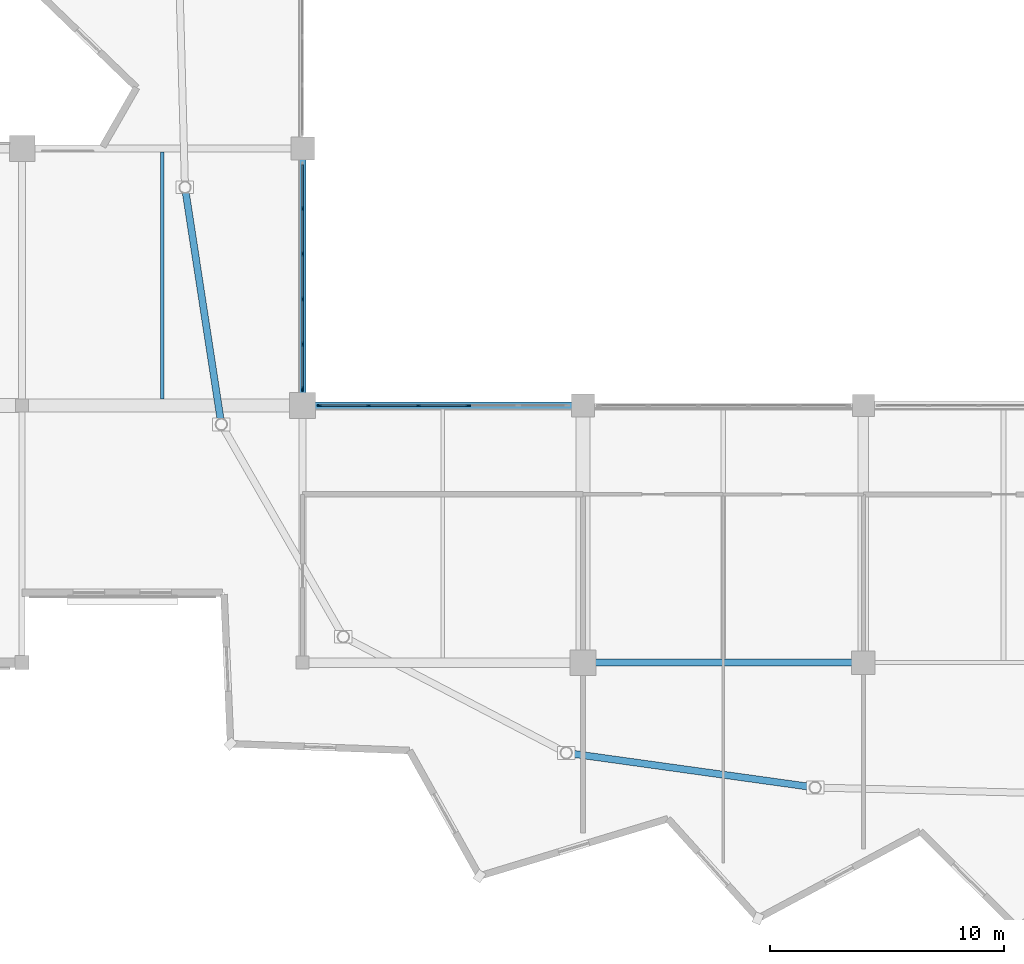
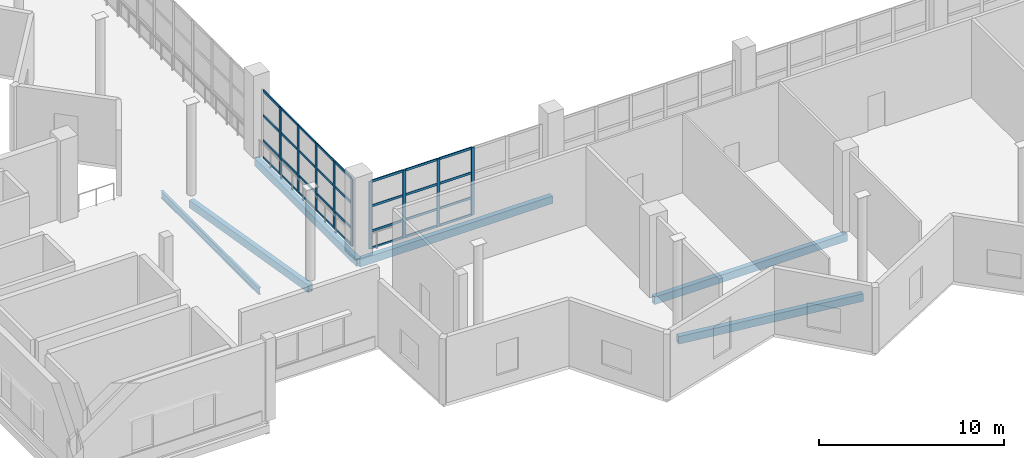
# One storey, part 11 of 49: 41 members, 6 beams, 2 elements without a shape of their own.
"""IFC4 building model written with IfcOpenShell, lengths in metres."""

from ifc_helpers import new_model, si_unit, direction, frame, origin, origin_2d, place, context, subcontext, project, spatial, rectangle, hollow_rectangle, i_section, extrude, material, material_profile, profile_set, type_object, element, aggregate, save


model = new_model("IFC4")

# Units and contexts
model_context = context("Model", 3, precision=1e-05, world=origin(), true_north=direction((0.0, 1.0)))
body_context = subcontext(model_context, "Body", "Model", "MODEL_VIEW")
ifc_project = project(units=[si_unit("LENGTHUNIT", "METRE"), si_unit("AREAUNIT", "SQUARE_METRE"), si_unit("VOLUMEUNIT", "CUBIC_METRE"), si_unit("PLANEANGLEUNIT", "RADIAN"), si_unit("MASSUNIT", "GRAM", prefix="KILO")], contexts=[model_context])

# Site, building, storey
site_placement = place(None, origin())
site = spatial("IfcSite", under=ifc_project, at=site_placement, CompositionType="ELEMENT")
building_placement = place(site_placement, origin())
building = spatial("IfcBuilding", under=site, at=building_placement, Name="Luwafu Chhajja Arena", CompositionType="ELEMENT")
storey_placement = place(building_placement, frame((0.0, 0.0, 24.300048828125)))
storey = spatial("IfcBuildingStorey", under=building, at=storey_placement, Name="L05", CompositionType="ELEMENT", Elevation=24.300048828125)

# Curtain wall, members
ifc_material_1 = material(Name="Anodised bronze aluminium", Category="aluminium")
curtain_wall_type = type_object("IfcCurtainWallType", Name="VIP Club Terrace Curtain Wall", PredefinedType="USERDEFINED", material=ifc_material_1)
curtain_wall_1_placement = place(storey_placement, origin())
curtain_wall_1 = element("IfcCurtainWall", 1, at=curtain_wall_1_placement, inside=storey, type_object=curtain_wall_type, Name="L05 Bowl Viewing Curtain Wall CWR-L05-01", ObjectType="CURTAIN WALL", PredefinedType="USERDEFINED")
ifc_material_profile_1 = material_profile(ifc_material_1, rectangle(XDim=0.06494140625, YDim=0.199951171875, at=origin_2d()), Name="CWM 65x200")
ifc_profile_set_1 = profile_set([ifc_material_profile_1], Name="Anodised bronze aluminium")
member_type_1 = type_object("IfcMemberType", Name="Bronze Curtain Wall Mullion 65x200", PredefinedType="MULLION", material=ifc_profile_set_1)
member_1_placement = place(storey_placement, frame((58.722412109375, 22.0, 0.0), z_axis=(0.0, 0.0, 1.0), x_axis=(0.0, 1.0, 0.0)))
member_1 = element("IfcMember", 2, at=member_1_placement, type_object=member_type_1, Name="CW-10 mullion 1", PredefinedType="MULLION", context=body_context, shape_type="SweptSolid", body=[
    extrude(rectangle(XDim=0.06494140625, YDim=0.199951171875, at=origin_2d()), origin(), (0.0, 0.0, 1.0), 4.449951171875),
])
member_2_placement = place(storey_placement, frame((60.823974609375, 22.0, 0.0), z_axis=(0.0, 0.0, 1.0), x_axis=(0.0, 1.0, 0.0)))
member_2 = element("IfcMember", 3, at=member_2_placement, type_object=member_type_1, Name="CW-10 mullion 2", PredefinedType="MULLION", context=body_context, shape_type="SweptSolid", body=[
    extrude(rectangle(XDim=0.06494140625, YDim=0.199951171875, at=origin_2d()), origin(), (0.0, 0.0, 1.0), 4.449951171875),
])
member_3_placement = place(storey_placement, frame((62.9580078125, 22.0, 0.0), z_axis=(0.0, 0.0, 1.0), x_axis=(0.0, 1.0, 0.0)))
member_3 = element("IfcMember", 4, at=member_3_placement, type_object=member_type_1, Name="CW-10 mullion 3", PredefinedType="MULLION", context=body_context, shape_type="SweptSolid", body=[
    extrude(rectangle(XDim=0.06494140625, YDim=0.199951171875, at=origin_2d()), origin(), (0.0, 0.0, 1.0), 4.449951171875),
])
member_4_placement = place(storey_placement, frame((65.092041015625, 22.0, 0.0), z_axis=(0.0, 0.0, 1.0), x_axis=(0.0, 1.0, 0.0)))
member_4 = element("IfcMember", 5, at=member_4_placement, type_object=member_type_1, Name="CW-10 mullion 4", PredefinedType="MULLION", context=body_context, shape_type="SweptSolid", body=[
    extrude(rectangle(XDim=0.06494140625, YDim=0.199951171875, at=origin_2d()), origin(), (0.0, 0.0, 1.0), 4.449951171875),
])

curtain_wall_2_placement = place(storey_placement, origin())
curtain_wall_2 = element("IfcCurtainWall", 6, at=curtain_wall_2_placement, inside=storey, type_object=curtain_wall_type, Name="L05 Bowl Viewing Curtain Wall CWR-L05-15", ObjectType="CURTAIN WALL", PredefinedType="USERDEFINED")
member_5_placement = place(storey_placement, frame((58.0, 22.722412109375, 0.0), z_axis=(0.0, 0.0, 1.0), x_axis=(-1.0, 0.0, 0.0)))
member_5 = element("IfcMember", 7, at=member_5_placement, type_object=member_type_1, Name="CW-10 mullion 1", PredefinedType="MULLION", context=body_context, shape_type="SweptSolid", body=[
    extrude(rectangle(XDim=0.06494140625, YDim=0.199951171875, at=origin_2d()), origin(), (0.0, 0.0, 1.0), 4.449951171875),
])
member_6_placement = place(storey_placement, frame((58.0, 24.6240234375, 0.0), z_axis=(0.0, 0.0, 1.0), x_axis=(-1.0, 0.0, 0.0)))
member_6 = element("IfcMember", 8, at=member_6_placement, type_object=member_type_1, Name="CW-10 mullion 2", PredefinedType="MULLION", context=body_context, shape_type="SweptSolid", body=[
    extrude(rectangle(XDim=0.06494140625, YDim=0.199951171875, at=origin_2d()), origin(), (0.0, 0.0, 1.0), 4.449951171875),
])
member_7_placement = place(storey_placement, frame((58.0, 26.55810546875, 0.0), z_axis=(0.0, 0.0, 1.0), x_axis=(-1.0, 0.0, 0.0)))
member_7 = element("IfcMember", 9, at=member_7_placement, type_object=member_type_1, Name="CW-10 mullion 3", PredefinedType="MULLION", context=body_context, shape_type="SweptSolid", body=[
    extrude(rectangle(XDim=0.06494140625, YDim=0.199951171875, at=origin_2d()), origin(), (0.0, 0.0, 1.0), 4.449951171875),
])
member_8_placement = place(storey_placement, frame((58.0, 28.491943359375, 0.0), z_axis=(0.0, 0.0, 1.0), x_axis=(-1.0, 0.0, 0.0)))
member_8 = element("IfcMember", 10, at=member_8_placement, type_object=member_type_1, Name="CW-10 mullion 4", PredefinedType="MULLION", context=body_context, shape_type="SweptSolid", body=[
    extrude(rectangle(XDim=0.06494140625, YDim=0.199951171875, at=origin_2d()), origin(), (0.0, 0.0, 1.0), 4.449951171875),
])
member_9_placement = place(storey_placement, frame((58.0, 30.426025390625, 0.0), z_axis=(0.0, 0.0, 1.0), x_axis=(-1.0, 0.0, 0.0)))
member_9 = element("IfcMember", 11, at=member_9_placement, type_object=member_type_1, Name="CW-10 mullion 5", PredefinedType="MULLION", context=body_context, shape_type="SweptSolid", body=[
    extrude(rectangle(XDim=0.06494140625, YDim=0.199951171875, at=origin_2d()), origin(), (0.0, 0.0, 1.0), 4.449951171875),
])

# Member
ifc_material_profile_2 = material_profile(ifc_material_1, rectangle(XDim=0.06494140625, YDim=0.14990234375, at=origin_2d()), Name="CWT 65x150")
ifc_profile_set_2 = profile_set([ifc_material_profile_2], Name="Anodised bronze aluminium")
member_type_2 = type_object("IfcMemberType", Name="Bronze Curtain Wall Transom 65x150", PredefinedType="USERDEFINED", material=ifc_profile_set_2)
member_10_placement = place(storey_placement, frame((58.7548828125, 22.0, 0.032470703125), z_axis=(1.0, 0.0, 0.0), x_axis=(0.0, 1.0, 0.0)))
member_10 = element("IfcMember", 12, at=member_10_placement, type_object=member_type_2, Name="CW-10 transom 1.1", ObjectType="TRANSOM", PredefinedType="USERDEFINED", context=body_context, shape_type="SweptSolid", body=[
    extrude(rectangle(XDim=0.06494140625, YDim=0.14990234375, at=origin_2d()), origin(), (0.0, 0.0, 1.0), 2.03662109375),
])

member_11_placement = place(storey_placement, frame((58.7548828125, 22.0, 1.14990234375), z_axis=(1.0, 0.0, 0.0), x_axis=(0.0, 1.0, 0.0)))
member_11 = element("IfcMember", 13, at=member_11_placement, type_object=member_type_2, Name="CW-10 transom 1.2", ObjectType="TRANSOM", PredefinedType="USERDEFINED", context=body_context, shape_type="SweptSolid", body=[
    extrude(rectangle(XDim=0.06494140625, YDim=0.14990234375, at=origin_2d()), origin(), (0.0, 0.0, 1.0), 2.03662109375),
])

member_12_placement = place(storey_placement, frame((58.7548828125, 22.0, 2.800048828125), z_axis=(1.0, 0.0, 0.0), x_axis=(0.0, 1.0, 0.0)))
member_12 = element("IfcMember", 14, at=member_12_placement, type_object=member_type_2, Name="CW-10 transom 1.3", ObjectType="TRANSOM", PredefinedType="USERDEFINED", context=body_context, shape_type="SweptSolid", body=[
    extrude(rectangle(XDim=0.06494140625, YDim=0.14990234375, at=origin_2d()), origin(), (0.0, 0.0, 1.0), 2.03662109375),
])

member_13_placement = place(storey_placement, frame((58.7548828125, 22.0, 4.41748046875), z_axis=(1.0, 0.0, 0.0), x_axis=(0.0, 1.0, 0.0)))
member_13 = element("IfcMember", 15, at=member_13_placement, type_object=member_type_2, Name="CW-10 transom 1.4", ObjectType="TRANSOM", PredefinedType="USERDEFINED", context=body_context, shape_type="SweptSolid", body=[
    extrude(rectangle(XDim=0.06494140625, YDim=0.14990234375, at=origin_2d()), origin(), (0.0, 0.0, 1.0), 2.03662109375),
])

member_14_placement = place(storey_placement, frame((60.8564453125, 22.0, 0.032470703125), z_axis=(1.0, 0.0, 0.0), x_axis=(0.0, 1.0, 0.0)))
member_14 = element("IfcMember", 16, at=member_14_placement, type_object=member_type_2, Name="CW-10 transom 2.1", ObjectType="TRANSOM", PredefinedType="USERDEFINED", context=body_context, shape_type="SweptSolid", body=[
    extrude(rectangle(XDim=0.06494140625, YDim=0.14990234375, at=origin_2d()), origin(), (0.0, 0.0, 1.0), 2.069091796875),
])

member_15_placement = place(storey_placement, frame((60.8564453125, 22.0, 1.14990234375), z_axis=(1.0, 0.0, 0.0), x_axis=(0.0, 1.0, 0.0)))
member_15 = element("IfcMember", 17, at=member_15_placement, type_object=member_type_2, Name="CW-10 transom 2.2", ObjectType="TRANSOM", PredefinedType="USERDEFINED", context=body_context, shape_type="SweptSolid", body=[
    extrude(rectangle(XDim=0.06494140625, YDim=0.14990234375, at=origin_2d()), origin(), (0.0, 0.0, 1.0), 2.069091796875),
])

member_16_placement = place(storey_placement, frame((60.8564453125, 22.0, 2.800048828125), z_axis=(1.0, 0.0, 0.0), x_axis=(0.0, 1.0, 0.0)))
member_16 = element("IfcMember", 18, at=member_16_placement, type_object=member_type_2, Name="CW-10 transom 2.3", ObjectType="TRANSOM", PredefinedType="USERDEFINED", context=body_context, shape_type="SweptSolid", body=[
    extrude(rectangle(XDim=0.06494140625, YDim=0.14990234375, at=origin_2d()), origin(), (0.0, 0.0, 1.0), 2.069091796875),
])

member_17_placement = place(storey_placement, frame((60.8564453125, 22.0, 4.41748046875), z_axis=(1.0, 0.0, 0.0), x_axis=(0.0, 1.0, 0.0)))
member_17 = element("IfcMember", 19, at=member_17_placement, type_object=member_type_2, Name="CW-10 transom 2.4", ObjectType="TRANSOM", PredefinedType="USERDEFINED", context=body_context, shape_type="SweptSolid", body=[
    extrude(rectangle(XDim=0.06494140625, YDim=0.14990234375, at=origin_2d()), origin(), (0.0, 0.0, 1.0), 2.069091796875),
])

member_18_placement = place(storey_placement, frame((62.990478515625, 22.0, 0.032470703125), z_axis=(1.0, 0.0, 0.0), x_axis=(0.0, 1.0, 0.0)))
member_18 = element("IfcMember", 20, at=member_18_placement, type_object=member_type_2, Name="CW-10 transom 3.1", ObjectType="TRANSOM", PredefinedType="USERDEFINED", context=body_context, shape_type="SweptSolid", body=[
    extrude(rectangle(XDim=0.06494140625, YDim=0.14990234375, at=origin_2d()), origin(), (0.0, 0.0, 1.0), 2.069091796875),
])

member_19_placement = place(storey_placement, frame((62.990478515625, 22.0, 1.14990234375), z_axis=(1.0, 0.0, 0.0), x_axis=(0.0, 1.0, 0.0)))
member_19 = element("IfcMember", 21, at=member_19_placement, type_object=member_type_2, Name="CW-10 transom 3.2", ObjectType="TRANSOM", PredefinedType="USERDEFINED", context=body_context, shape_type="SweptSolid", body=[
    extrude(rectangle(XDim=0.06494140625, YDim=0.14990234375, at=origin_2d()), origin(), (0.0, 0.0, 1.0), 2.069091796875),
])

member_20_placement = place(storey_placement, frame((62.990478515625, 22.0, 2.800048828125), z_axis=(1.0, 0.0, 0.0), x_axis=(0.0, 1.0, 0.0)))
member_20 = element("IfcMember", 22, at=member_20_placement, type_object=member_type_2, Name="CW-10 transom 3.3", ObjectType="TRANSOM", PredefinedType="USERDEFINED", context=body_context, shape_type="SweptSolid", body=[
    extrude(rectangle(XDim=0.06494140625, YDim=0.14990234375, at=origin_2d()), origin(), (0.0, 0.0, 1.0), 2.069091796875),
])

member_21_placement = place(storey_placement, frame((62.990478515625, 22.0, 4.41748046875), z_axis=(1.0, 0.0, 0.0), x_axis=(0.0, 1.0, 0.0)))
member_21 = element("IfcMember", 23, at=member_21_placement, type_object=member_type_2, Name="CW-10 transom 3.4", ObjectType="TRANSOM", PredefinedType="USERDEFINED", context=body_context, shape_type="SweptSolid", body=[
    extrude(rectangle(XDim=0.06494140625, YDim=0.14990234375, at=origin_2d()), origin(), (0.0, 0.0, 1.0), 2.069091796875),
])

aggregate(curtain_wall_1, [member_1, member_2, member_3, member_4, member_10, member_11, member_12, member_13, member_14, member_15, member_16, member_17, member_18, member_19, member_20, member_21])

member_22_placement = place(storey_placement, frame((58.0, 22.7548828125, 0.032470703125), z_axis=(0.0, 1.0, 0.0), x_axis=(-1.0, 0.0, 0.0)))
member_22 = element("IfcMember", 24, at=member_22_placement, type_object=member_type_2, Name="CW-10 transom 1.1", ObjectType="TRANSOM", PredefinedType="USERDEFINED", context=body_context, shape_type="SweptSolid", body=[
    extrude(rectangle(XDim=0.06494140625, YDim=0.14990234375, at=origin_2d()), origin(), (0.0, 0.0, 1.0), 1.836669921875),
])

member_23_placement = place(storey_placement, frame((58.0, 22.7548828125, 1.14990234375), z_axis=(0.0, 1.0, 0.0), x_axis=(-1.0, 0.0, 0.0)))
member_23 = element("IfcMember", 25, at=member_23_placement, type_object=member_type_2, Name="CW-10 transom 1.2", ObjectType="TRANSOM", PredefinedType="USERDEFINED", context=body_context, shape_type="SweptSolid", body=[
    extrude(rectangle(XDim=0.06494140625, YDim=0.14990234375, at=origin_2d()), origin(), (0.0, 0.0, 1.0), 1.836669921875),
])

member_24_placement = place(storey_placement, frame((58.0, 22.7548828125, 2.800048828125), z_axis=(0.0, 1.0, 0.0), x_axis=(-1.0, 0.0, 0.0)))
member_24 = element("IfcMember", 26, at=member_24_placement, type_object=member_type_2, Name="CW-10 transom 1.3", ObjectType="TRANSOM", PredefinedType="USERDEFINED", context=body_context, shape_type="SweptSolid", body=[
    extrude(rectangle(XDim=0.06494140625, YDim=0.14990234375, at=origin_2d()), origin(), (0.0, 0.0, 1.0), 1.836669921875),
])

member_25_placement = place(storey_placement, frame((58.0, 22.7548828125, 4.41748046875), z_axis=(0.0, 1.0, 0.0), x_axis=(-1.0, 0.0, 0.0)))
member_25 = element("IfcMember", 27, at=member_25_placement, type_object=member_type_2, Name="CW-10 transom 1.4", ObjectType="TRANSOM", PredefinedType="USERDEFINED", context=body_context, shape_type="SweptSolid", body=[
    extrude(rectangle(XDim=0.06494140625, YDim=0.14990234375, at=origin_2d()), origin(), (0.0, 0.0, 1.0), 1.836669921875),
])

member_26_placement = place(storey_placement, frame((58.0, 24.656494140625, 0.032470703125), z_axis=(0.0, 1.0, 0.0), x_axis=(-1.0, 0.0, 0.0)))
member_26 = element("IfcMember", 28, at=member_26_placement, type_object=member_type_2, Name="CW-10 transom 2.1", ObjectType="TRANSOM", PredefinedType="USERDEFINED", context=body_context, shape_type="SweptSolid", body=[
    extrude(rectangle(XDim=0.06494140625, YDim=0.14990234375, at=origin_2d()), origin(), (0.0, 0.0, 1.0), 1.868896484375),
])

member_27_placement = place(storey_placement, frame((58.0, 24.656494140625, 1.14990234375), z_axis=(0.0, 1.0, 0.0), x_axis=(-1.0, 0.0, 0.0)))
member_27 = element("IfcMember", 29, at=member_27_placement, type_object=member_type_2, Name="CW-10 transom 2.2", ObjectType="TRANSOM", PredefinedType="USERDEFINED", context=body_context, shape_type="SweptSolid", body=[
    extrude(rectangle(XDim=0.06494140625, YDim=0.14990234375, at=origin_2d()), origin(), (0.0, 0.0, 1.0), 1.868896484375),
])

member_28_placement = place(storey_placement, frame((58.0, 24.656494140625, 2.800048828125), z_axis=(0.0, 1.0, 0.0), x_axis=(-1.0, 0.0, 0.0)))
member_28 = element("IfcMember", 30, at=member_28_placement, type_object=member_type_2, Name="CW-10 transom 2.3", ObjectType="TRANSOM", PredefinedType="USERDEFINED", context=body_context, shape_type="SweptSolid", body=[
    extrude(rectangle(XDim=0.06494140625, YDim=0.14990234375, at=origin_2d()), origin(), (0.0, 0.0, 1.0), 1.868896484375),
])

member_29_placement = place(storey_placement, frame((58.0, 24.656494140625, 4.41748046875), z_axis=(0.0, 1.0, 0.0), x_axis=(-1.0, 0.0, 0.0)))
member_29 = element("IfcMember", 31, at=member_29_placement, type_object=member_type_2, Name="CW-10 transom 2.4", ObjectType="TRANSOM", PredefinedType="USERDEFINED", context=body_context, shape_type="SweptSolid", body=[
    extrude(rectangle(XDim=0.06494140625, YDim=0.14990234375, at=origin_2d()), origin(), (0.0, 0.0, 1.0), 1.868896484375),
])

member_30_placement = place(storey_placement, frame((58.0, 26.590576171875, 0.032470703125), z_axis=(0.0, 1.0, 0.0), x_axis=(-1.0, 0.0, 0.0)))
member_30 = element("IfcMember", 32, at=member_30_placement, type_object=member_type_2, Name="CW-10 transom 3.1", ObjectType="TRANSOM", PredefinedType="USERDEFINED", context=body_context, shape_type="SweptSolid", body=[
    extrude(rectangle(XDim=0.06494140625, YDim=0.14990234375, at=origin_2d()), origin(), (0.0, 0.0, 1.0), 1.868896484375),
])

member_31_placement = place(storey_placement, frame((58.0, 26.590576171875, 1.14990234375), z_axis=(0.0, 1.0, 0.0), x_axis=(-1.0, 0.0, 0.0)))
member_31 = element("IfcMember", 33, at=member_31_placement, type_object=member_type_2, Name="CW-10 transom 3.2", ObjectType="TRANSOM", PredefinedType="USERDEFINED", context=body_context, shape_type="SweptSolid", body=[
    extrude(rectangle(XDim=0.06494140625, YDim=0.14990234375, at=origin_2d()), origin(), (0.0, 0.0, 1.0), 1.868896484375),
])

member_32_placement = place(storey_placement, frame((58.0, 26.590576171875, 2.800048828125), z_axis=(0.0, 1.0, 0.0), x_axis=(-1.0, 0.0, 0.0)))
member_32 = element("IfcMember", 34, at=member_32_placement, type_object=member_type_2, Name="CW-10 transom 3.3", ObjectType="TRANSOM", PredefinedType="USERDEFINED", context=body_context, shape_type="SweptSolid", body=[
    extrude(rectangle(XDim=0.06494140625, YDim=0.14990234375, at=origin_2d()), origin(), (0.0, 0.0, 1.0), 1.868896484375),
])

member_33_placement = place(storey_placement, frame((58.0, 26.590576171875, 4.41748046875), z_axis=(0.0, 1.0, 0.0), x_axis=(-1.0, 0.0, 0.0)))
member_33 = element("IfcMember", 35, at=member_33_placement, type_object=member_type_2, Name="CW-10 transom 3.4", ObjectType="TRANSOM", PredefinedType="USERDEFINED", context=body_context, shape_type="SweptSolid", body=[
    extrude(rectangle(XDim=0.06494140625, YDim=0.14990234375, at=origin_2d()), origin(), (0.0, 0.0, 1.0), 1.868896484375),
])

member_34_placement = place(storey_placement, frame((58.0, 28.5244140625, 0.032470703125), z_axis=(0.0, 1.0, 0.0), x_axis=(-1.0, 0.0, 0.0)))
member_34 = element("IfcMember", 36, at=member_34_placement, type_object=member_type_2, Name="CW-10 transom 4.1", ObjectType="TRANSOM", PredefinedType="USERDEFINED", context=body_context, shape_type="SweptSolid", body=[
    extrude(rectangle(XDim=0.06494140625, YDim=0.14990234375, at=origin_2d()), origin(), (0.0, 0.0, 1.0), 1.869140625),
])

member_35_placement = place(storey_placement, frame((58.0, 28.5244140625, 1.14990234375), z_axis=(0.0, 1.0, 0.0), x_axis=(-1.0, 0.0, 0.0)))
member_35 = element("IfcMember", 37, at=member_35_placement, type_object=member_type_2, Name="CW-10 transom 4.2", ObjectType="TRANSOM", PredefinedType="USERDEFINED", context=body_context, shape_type="SweptSolid", body=[
    extrude(rectangle(XDim=0.06494140625, YDim=0.14990234375, at=origin_2d()), origin(), (0.0, 0.0, 1.0), 1.869140625),
])

member_36_placement = place(storey_placement, frame((58.0, 28.5244140625, 2.800048828125), z_axis=(0.0, 1.0, 0.0), x_axis=(-1.0, 0.0, 0.0)))
member_36 = element("IfcMember", 38, at=member_36_placement, type_object=member_type_2, Name="CW-10 transom 4.3", ObjectType="TRANSOM", PredefinedType="USERDEFINED", context=body_context, shape_type="SweptSolid", body=[
    extrude(rectangle(XDim=0.06494140625, YDim=0.14990234375, at=origin_2d()), origin(), (0.0, 0.0, 1.0), 1.869140625),
])

member_37_placement = place(storey_placement, frame((58.0, 28.5244140625, 4.41748046875), z_axis=(0.0, 1.0, 0.0), x_axis=(-1.0, 0.0, 0.0)))
member_37 = element("IfcMember", 39, at=member_37_placement, type_object=member_type_2, Name="CW-10 transom 4.4", ObjectType="TRANSOM", PredefinedType="USERDEFINED", context=body_context, shape_type="SweptSolid", body=[
    extrude(rectangle(XDim=0.06494140625, YDim=0.14990234375, at=origin_2d()), origin(), (0.0, 0.0, 1.0), 1.869140625),
])

member_38_placement = place(storey_placement, frame((58.0, 30.45849609375, 0.032470703125), z_axis=(0.0, 1.0, 0.0), x_axis=(-1.0, 0.0, 0.0)))
member_38 = element("IfcMember", 40, at=member_38_placement, type_object=member_type_2, Name="CW-10 transom 5.1", ObjectType="TRANSOM", PredefinedType="USERDEFINED", context=body_context, shape_type="SweptSolid", body=[
    extrude(rectangle(XDim=0.06494140625, YDim=0.14990234375, at=origin_2d()), origin(), (0.0, 0.0, 1.0), 1.83642578125),
])

member_39_placement = place(storey_placement, frame((58.0, 30.45849609375, 1.14990234375), z_axis=(0.0, 1.0, 0.0), x_axis=(-1.0, 0.0, 0.0)))
member_39 = element("IfcMember", 41, at=member_39_placement, type_object=member_type_2, Name="CW-10 transom 5.2", ObjectType="TRANSOM", PredefinedType="USERDEFINED", context=body_context, shape_type="SweptSolid", body=[
    extrude(rectangle(XDim=0.06494140625, YDim=0.14990234375, at=origin_2d()), origin(), (0.0, 0.0, 1.0), 1.83642578125),
])

member_40_placement = place(storey_placement, frame((58.0, 30.45849609375, 2.800048828125), z_axis=(0.0, 1.0, 0.0), x_axis=(-1.0, 0.0, 0.0)))
member_40 = element("IfcMember", 42, at=member_40_placement, type_object=member_type_2, Name="CW-10 transom 5.3", ObjectType="TRANSOM", PredefinedType="USERDEFINED", context=body_context, shape_type="SweptSolid", body=[
    extrude(rectangle(XDim=0.06494140625, YDim=0.14990234375, at=origin_2d()), origin(), (0.0, 0.0, 1.0), 1.83642578125),
])

member_41_placement = place(storey_placement, frame((58.0, 30.45849609375, 4.41748046875), z_axis=(0.0, 1.0, 0.0), x_axis=(-1.0, 0.0, 0.0)))
member_41 = element("IfcMember", 43, at=member_41_placement, type_object=member_type_2, Name="CW-10 transom 5.4", ObjectType="TRANSOM", PredefinedType="USERDEFINED", context=body_context, shape_type="SweptSolid", body=[
    extrude(rectangle(XDim=0.06494140625, YDim=0.14990234375, at=origin_2d()), origin(), (0.0, 0.0, 1.0), 1.83642578125),
])

aggregate(curtain_wall_2, [member_5, member_6, member_7, member_8, member_9, member_22, member_23, member_24, member_25, member_26, member_27, member_28, member_29, member_30, member_31, member_32, member_33, member_34, member_35, member_36, member_37, member_38, member_39, member_40, member_41])

# Beams
ifc_material_2 = material(Name="Steel S355", Category="steel")
ifc_material_profile_3 = material_profile(ifc_material_2, i_section(OverallWidth=0.15283203125, OverallDepth=0.45458984375, WebThickness=0.008056640625, FlangeThickness=0.01318359375, at=origin_2d()), Name="UB 457x152x60")
ifc_profile_set_3 = profile_set([ifc_material_profile_3], Name="Steel S355")
beam_type_1 = type_object("IfcBeamType", Name="Floor Joist UB 457x152x60", PredefinedType="JOIST", material=ifc_profile_set_3)
beam_1_placement = place(storey_placement, frame((52.0, 22.27490234375, -0.617431640625), z_axis=(0.0, 1.0, 0.0), x_axis=(-1.0, 0.0, 0.0)))
element("IfcBeam", 44, at=beam_1_placement, inside=storey, type_object=beam_type_1, Name="L05 Secondary Joist 5-6/C", PredefinedType="JOIST", context=body_context, shape_type="SweptSolid", body=[
    extrude(i_section(OverallWidth=0.15283203125, OverallDepth=0.45458984375, WebThickness=0.008056640625, FlangeThickness=0.01318359375, at=origin_2d()), origin(), (0.0, 0.0, 1.0), 10.5751953125),
])
ifc_material_profile_4 = material_profile(ifc_material_2, hollow_rectangle(XDim=0.300048828125, YDim=0.5, WallThickness=0.02001953125, at=origin_2d()), Name="RHS 500x300x20")
ifc_profile_set_4 = profile_set([ifc_material_profile_4], Name="Steel S355")
beam_type_2 = type_object("IfcBeamType", Name="Pleated Drum Spandrel Beam RHS 500x300", PredefinedType="SPANDREL", material=ifc_profile_set_4)
for number, where, z_axis, x_axis, name in (
    (45, (58.0, 22.0, -0.64013671875), (1.0, 0.0, 0.0), (0.0, 1.0, 0.0), "L05 Grid Beam 6-7/C"),
    (46, (70.0, 11.0, -0.64013671875), (1.0, 0.0, 0.0), (0.0, 1.0, 0.0), "L05 Grid Beam 7-8/B"),
):
    element("IfcBeam", number, at=place(storey_placement, frame(where, z_axis=z_axis, x_axis=x_axis)), inside=storey, type_object=beam_type_2, Name=name, PredefinedType="SPANDREL", context=body_context, shape_type="SweptSolid", body=[
        extrude(hollow_rectangle(XDim=0.300048828125, YDim=0.5, WallThickness=0.02001953125, at=origin_2d()), origin(), (0.0, 0.0, 1.0), 12.0),
    ])
beam_2_placement = place(storey_placement, frame((58.0, 22.0, -0.64013671875), z_axis=(0.0, 1.0, 0.0), x_axis=(-1.0, 0.0, 0.0)))
element("IfcBeam", 47, at=beam_2_placement, inside=storey, type_object=beam_type_2, Name="L05 Grid Beam 6/C-D", PredefinedType="SPANDREL", context=body_context, shape_type="SweptSolid", body=[
    extrude(hollow_rectangle(XDim=0.300048828125, YDim=0.5, WallThickness=0.02001953125, at=origin_2d()), origin(), (0.0, 0.0, 1.0), 11.0),
])
beam_3_placement = place(storey_placement, frame((52.968017578125, 31.3388671875, -0.64013671875), z_axis=(0.1515977802, -0.988442265911, 0.0), x_axis=(0.988442265911, 0.1515977802, 0.0)))
element("IfcBeam", 48, at=beam_3_placement, inside=storey, type_object=beam_type_2, Name="L05 Drum Ring Spandrel D19-D20", PredefinedType="SPANDREL", context=body_context, shape_type="SweptSolid", body=[
    extrude(hollow_rectangle(XDim=0.300048828125, YDim=0.5, WallThickness=0.02001953125, at=origin_2d()), origin(), (0.0, 0.0, 1.0), 10.263427734375),
])
beam_4_placement = place(storey_placement, frame((69.281982421875, 7.13720703125, -0.64013671875), z_axis=(0.990458730054, -0.137809666058, 0.0), x_axis=(0.137809666058, 0.990458730054, 0.0)))
element("IfcBeam", 49, at=beam_4_placement, inside=storey, type_object=beam_type_2, Name="L05 Drum Ring Spandrel D22-D23", PredefinedType="SPANDREL", context=body_context, shape_type="SweptSolid", body=[
    extrude(hollow_rectangle(XDim=0.300048828125, YDim=0.5, WallThickness=0.02001953125, at=origin_2d()), origin(), (0.0, 0.0, 1.0), 10.75341796875),
])

save(model, "model.ifc")
